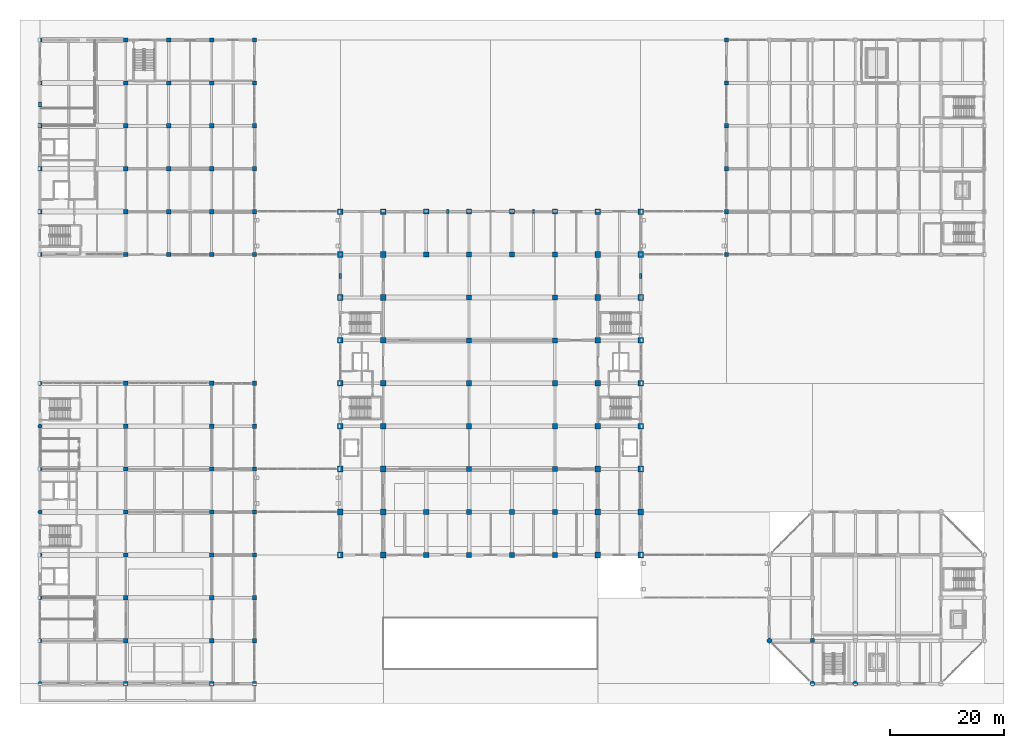
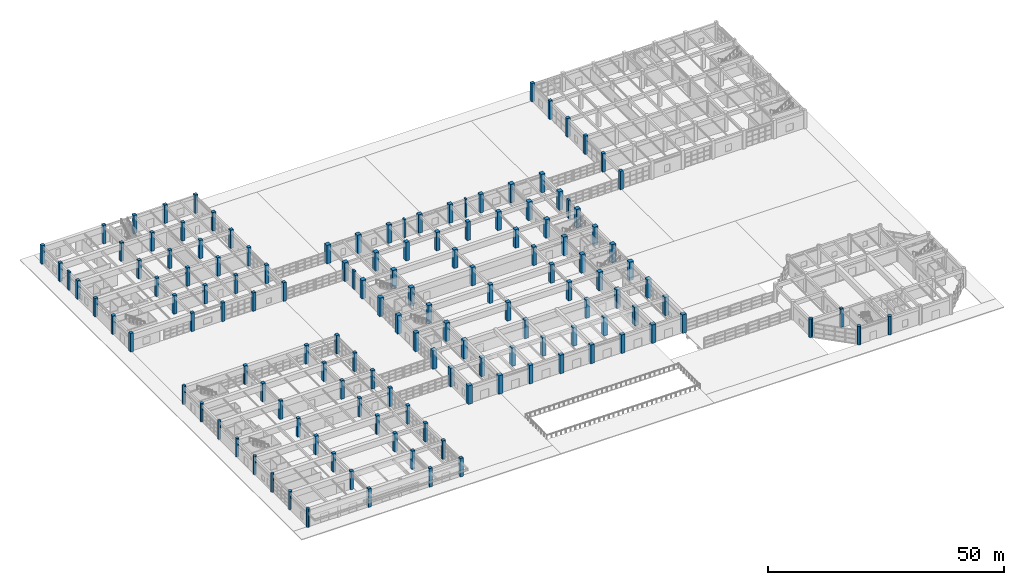
# One storey, part 1 of 122: 139 columns.
"""IFC4 building model written with IfcOpenShell, lengths in metres."""

from ifc_helpers import new_model, si_unit, direction, frame, origin, origin_2d, place, context, subcontext, project, spatial, rectangle, circle, extrude, material, material_profile, profile_set, type_object, element, save


model = new_model("IFC4")

# Units and contexts
model_context = context("Model", 3, precision=1e-05, world=origin(), true_north=direction((0.0, 1.0)))
body_context = subcontext(model_context, "Body", "Model", "MODEL_VIEW")
ifc_project = project(units=[si_unit("LENGTHUNIT", "METRE"), si_unit("AREAUNIT", "SQUARE_METRE"), si_unit("VOLUMEUNIT", "CUBIC_METRE"), si_unit("PLANEANGLEUNIT", "RADIAN"), si_unit("MASSUNIT", "GRAM", prefix="KILO")], contexts=[model_context])

# Site, building, storey
site_placement = place(None, origin())
site = spatial("IfcSite", under=ifc_project, at=site_placement, CompositionType="ELEMENT")
building_placement = place(site_placement, origin())
building = spatial("IfcBuilding", under=site, at=building_placement, Name="Qasida Concert Hall", CompositionType="ELEMENT")
storey_placement = place(building_placement, origin())
storey = spatial("IfcBuildingStorey", under=building, at=storey_placement, Name="L00", CompositionType="ELEMENT", Elevation=0.0)

# Columns
ifc_material = material(Name="Concrete C50/60", Category="concrete")
ifc_material_profile_1 = material_profile(ifc_material, rectangle(XDim=1.0, YDim=1.0, at=origin_2d()), Name="RC 1000x1000")
ifc_profile_set_1 = profile_set([ifc_material_profile_1], Name="Concrete C50/60")
column_type_1 = type_object("IfcColumnType", Name="COL-C-101", PredefinedType="COLUMN", material=ifc_profile_set_1)
for number, where, z_axis, x_axis, name in (
    (1, (52.5, 22.5, 0.0), (0.0, 0.0, 1.0), (1.0, 0.0, 0.0), "L00 column C-101 (V1)"),
    (2, (52.5, 30.0, 0.0), (0.0, 0.0, 1.0), (1.0, 0.0, 0.0), "L00 column C-101 (V1)"),
    (3, (52.5, 37.5, 0.0), (0.0, 0.0, 1.0), (1.0, 0.0, 0.0), "L00 column C-101 (V1)"),
    (4, (52.5, 45.0, 0.0), (0.0, 0.0, 1.0), (1.0, 0.0, 0.0), "L00 column C-101 (V1)"),
    (5, (52.5, 52.5, 0.0), (0.0, 0.0, 1.0), (1.0, 0.0, 0.0), "L00 column C-101 (V1)"),
    (6, (52.5, 60.0, 0.0), (0.0, 0.0, 1.0), (1.0, 0.0, 0.0), "L00 column C-101 (V1)"),
    (7, (52.5, 67.5, 0.0), (0.0, 0.0, 1.0), (1.0, 0.0, 0.0), "L00 column C-101 (V1)"),
    (8, (52.5, 75.0, 0.0), (0.0, 0.0, 1.0), (1.0, 0.0, 0.0), "L00 column C-101 (V1)"),
    (9, (52.5, 82.5, 0.0), (0.0, 0.0, 1.0), (1.0, 0.0, 0.0), "L00 column C-101 (V1)"),
    (10, (60.0, 22.5, 0.0), (0.0, 0.0, 1.0), (1.0, 0.0, 0.0), "L00 column C-101 (V1)"),
    (11, (60.0, 30.0, 0.0), (0.0, 0.0, 1.0), (1.0, 0.0, 0.0), "L00 column C-101 (V1)"),
    (12, (60.0, 37.5, 0.0), (0.0, 0.0, 1.0), (1.0, 0.0, 0.0), "L00 column C-101 (V1)"),
    (13, (60.0, 45.0, 0.0), (0.0, 0.0, 1.0), (1.0, 0.0, 0.0), "L00 column C-101 (V1)"),
    (14, (60.0, 52.5, 0.0), (0.0, 0.0, 1.0), (1.0, 0.0, 0.0), "L00 column C-101 (V1)"),
    (15, (60.0, 60.0, 0.0), (0.0, 0.0, 1.0), (1.0, 0.0, 0.0), "L00 column C-101 (V1)"),
    (16, (60.0, 67.5, 0.0), (0.0, 0.0, 1.0), (1.0, 0.0, 0.0), "L00 column C-101 (V1)"),
    (17, (60.0, 75.0, 0.0), (0.0, 0.0, 1.0), (1.0, 0.0, 0.0), "L00 column C-101 (V1)"),
    (18, (60.0, 82.5, 0.0), (0.0, 0.0, 1.0), (1.0, 0.0, 0.0), "L00 column C-101 (V1)"),
    (19, (97.5, 22.5, 0.0), (0.0, 0.0, 1.0), (1.0, 0.0, 0.0), "L00 column C-101 (V1)"),
    (20, (97.5, 30.0, 0.0), (0.0, 0.0, 1.0), (1.0, 0.0, 0.0), "L00 column C-101 (V1)"),
    (21, (97.5, 37.5, 0.0), (0.0, 0.0, 1.0), (1.0, 0.0, 0.0), "L00 column C-101 (V1)"),
    (22, (97.5, 45.0, 0.0), (0.0, 0.0, 1.0), (1.0, 0.0, 0.0), "L00 column C-101 (V1)"),
    (23, (97.5, 52.5, 0.0), (0.0, 0.0, 1.0), (1.0, 0.0, 0.0), "L00 column C-101 (V1)"),
    (24, (97.5, 60.0, 0.0), (0.0, 0.0, 1.0), (1.0, 0.0, 0.0), "L00 column C-101 (V1)"),
    (25, (97.5, 67.5, 0.0), (0.0, 0.0, 1.0), (1.0, 0.0, 0.0), "L00 column C-101 (V1)"),
    (26, (97.5, 75.0, 0.0), (0.0, 0.0, 1.0), (1.0, 0.0, 0.0), "L00 column C-101 (V1)"),
    (27, (97.5, 82.5, 0.0), (0.0, 0.0, 1.0), (1.0, 0.0, 0.0), "L00 column C-101 (V1)"),
    (28, (105.0, 22.5, 0.0), (0.0, 0.0, 1.0), (1.0, 0.0, 0.0), "L00 column C-101 (V1)"),
    (29, (105.0, 30.0, 0.0), (0.0, 0.0, 1.0), (1.0, 0.0, 0.0), "L00 column C-101 (V1)"),
    (30, (105.0, 37.5, 0.0), (0.0, 0.0, 1.0), (1.0, 0.0, 0.0), "L00 column C-101 (V1)"),
    (31, (105.0, 45.0, 0.0), (0.0, 0.0, 1.0), (1.0, 0.0, 0.0), "L00 column C-101 (V1)"),
    (32, (105.0, 52.5, 0.0), (0.0, 0.0, 1.0), (1.0, 0.0, 0.0), "L00 column C-101 (V1)"),
    (33, (105.0, 60.0, 0.0), (0.0, 0.0, 1.0), (1.0, 0.0, 0.0), "L00 column C-101 (V1)"),
    (34, (105.0, 67.5, 0.0), (0.0, 0.0, 1.0), (1.0, 0.0, 0.0), "L00 column C-101 (V1)"),
    (35, (105.0, 75.0, 0.0), (0.0, 0.0, 1.0), (1.0, 0.0, 0.0), "L00 column C-101 (V1)"),
    (36, (105.0, 82.5, 0.0), (0.0, 0.0, 1.0), (1.0, 0.0, 0.0), "L00 column C-101 (V1)"),
):
    element("IfcColumn", number, at=place(storey_placement, frame(where, z_axis=z_axis, x_axis=x_axis)), inside=storey, type_object=column_type_1, Name=name, PredefinedType="COLUMN", context=body_context, shape_type="SweptSolid", body=[
        extrude(rectangle(XDim=1.0, YDim=1.0, at=origin_2d()), origin(), (0.0, 0.0, 1.0), 4.800048828125),
    ])
ifc_material_profile_2 = material_profile(ifc_material, rectangle(XDim=0.89990234375, YDim=0.89990234375, at=origin_2d()), Name="RC 900x900")
ifc_profile_set_2 = profile_set([ifc_material_profile_2], Name="Concrete C50/60")
column_type_2 = type_object("IfcColumnType", Name="COL-C-102", PredefinedType="COLUMN", material=ifc_profile_set_2)
for number, where, z_axis, x_axis, name in (
    (37, (67.5, 22.5, 0.0), (0.0, 0.0, 1.0), (1.0, 0.0, 0.0), "L00 column C-102 (V1)"),
    (38, (67.5, 30.0, 0.0), (0.0, 0.0, 1.0), (1.0, 0.0, 0.0), "L00 column C-102 (V1)"),
    (39, (67.5, 75.0, 0.0), (0.0, 0.0, 1.0), (1.0, 0.0, 0.0), "L00 column C-102 (V1)"),
    (40, (67.5, 82.5, 0.0), (0.0, 0.0, 1.0), (1.0, 0.0, 0.0), "L00 column C-102 (V1)"),
    (41, (75.0, 22.5, 0.0), (0.0, 0.0, 1.0), (1.0, 0.0, 0.0), "L00 column C-102 (V1)"),
    (42, (75.0, 30.0, 0.0), (0.0, 0.0, 1.0), (1.0, 0.0, 0.0), "L00 column C-102 (V1)"),
    (43, (75.0, 37.5, 0.0), (0.0, 0.0, 1.0), (1.0, 0.0, 0.0), "L00 column C-102 (V1)"),
    (44, (75.0, 45.0, 0.0), (0.0, 0.0, 1.0), (1.0, 0.0, 0.0), "L00 column C-102 (V1)"),
    (45, (75.0, 52.5, 0.0), (0.0, 0.0, 1.0), (1.0, 0.0, 0.0), "L00 column C-102 (V1)"),
    (46, (75.0, 60.0, 0.0), (0.0, 0.0, 1.0), (1.0, 0.0, 0.0), "L00 column C-102 (V1)"),
    (47, (75.0, 67.5, 0.0), (0.0, 0.0, 1.0), (1.0, 0.0, 0.0), "L00 column C-102 (V1)"),
    (48, (75.0, 75.0, 0.0), (0.0, 0.0, 1.0), (1.0, 0.0, 0.0), "L00 column C-102 (V1)"),
    (49, (75.0, 82.5, 0.0), (0.0, 0.0, 1.0), (1.0, 0.0, 0.0), "L00 column C-102 (V1)"),
    (50, (82.5, 22.5, 0.0), (0.0, 0.0, 1.0), (1.0, 0.0, 0.0), "L00 column C-102 (V1)"),
    (51, (82.5, 30.0, 0.0), (0.0, 0.0, 1.0), (1.0, 0.0, 0.0), "L00 column C-102 (V1)"),
    (52, (82.5, 75.0, 0.0), (0.0, 0.0, 1.0), (1.0, 0.0, 0.0), "L00 column C-102 (V1)"),
    (53, (82.5, 82.5, 0.0), (0.0, 0.0, 1.0), (1.0, 0.0, 0.0), "L00 column C-102 (V1)"),
    (54, (90.0, 22.5, 0.0), (0.0, 0.0, 1.0), (1.0, 0.0, 0.0), "L00 column C-102 (V1)"),
    (55, (90.0, 30.0, 0.0), (0.0, 0.0, 1.0), (1.0, 0.0, 0.0), "L00 column C-102 (V1)"),
    (56, (90.0, 37.5, 0.0), (0.0, 0.0, 1.0), (1.0, 0.0, 0.0), "L00 column C-102 (V1)"),
    (57, (90.0, 45.0, 0.0), (0.0, 0.0, 1.0), (1.0, 0.0, 0.0), "L00 column C-102 (V1)"),
    (58, (90.0, 52.5, 0.0), (0.0, 0.0, 1.0), (1.0, 0.0, 0.0), "L00 column C-102 (V1)"),
    (59, (90.0, 60.0, 0.0), (0.0, 0.0, 1.0), (1.0, 0.0, 0.0), "L00 column C-102 (V1)"),
    (60, (90.0, 67.5, 0.0), (0.0, 0.0, 1.0), (1.0, 0.0, 0.0), "L00 column C-102 (V1)"),
    (61, (90.0, 75.0, 0.0), (0.0, 0.0, 1.0), (1.0, 0.0, 0.0), "L00 column C-102 (V1)"),
    (62, (90.0, 82.5, 0.0), (0.0, 0.0, 1.0), (1.0, 0.0, 0.0), "L00 column C-102 (V1)"),
):
    element("IfcColumn", number, at=place(storey_placement, frame(where, z_axis=z_axis, x_axis=x_axis)), inside=storey, type_object=column_type_2, Name=name, PredefinedType="COLUMN", context=body_context, shape_type="SweptSolid", body=[
        extrude(rectangle(XDim=0.89990234375, YDim=0.89990234375, at=origin_2d()), origin(), (0.0, 0.0, 1.0), 4.800048828125),
    ])
ifc_material_profile_3 = material_profile(ifc_material, rectangle(XDim=0.75, YDim=0.75, at=origin_2d()), Name="RC 750x750")
ifc_profile_set_3 = profile_set([ifc_material_profile_3], Name="Concrete C50/60")
column_type_3 = type_object("IfcColumnType", Name="COL-C-104", PredefinedType="COLUMN", material=ifc_profile_set_3)
for number, where, z_axis, x_axis, name in (
    (63, (15.0, 0.0, 0.0), (0.0, 0.0, 1.0), (1.0, 0.0, 0.0), "L00 column C-104 (V3)"),
    (64, (15.0, 7.5, 0.0), (0.0, 0.0, 1.0), (1.0, 0.0, 0.0), "L00 column C-104 (V3)"),
    (65, (15.0, 15.0, 0.0), (0.0, 0.0, 1.0), (1.0, 0.0, 0.0), "L00 column C-104 (V3)"),
    (66, (15.0, 22.5, 0.0), (0.0, 0.0, 1.0), (1.0, 0.0, 0.0), "L00 column C-104 (V3)"),
    (67, (15.0, 30.0, 0.0), (0.0, 0.0, 1.0), (1.0, 0.0, 0.0), "L00 column C-104 (V3)"),
    (68, (15.0, 37.5, 0.0), (0.0, 0.0, 1.0), (1.0, 0.0, 0.0), "L00 column C-104 (V3)"),
    (69, (15.0, 45.0, 0.0), (0.0, 0.0, 1.0), (1.0, 0.0, 0.0), "L00 column C-104 (V3)"),
    (70, (15.0, 52.5, 0.0), (0.0, 0.0, 1.0), (1.0, 0.0, 0.0), "L00 column C-104 (V3)"),
    (71, (30.0, 0.0, 0.0), (0.0, 0.0, 1.0), (1.0, 0.0, 0.0), "L00 column C-104 (V3)"),
    (72, (30.0, 7.5, 0.0), (0.0, 0.0, 1.0), (1.0, 0.0, 0.0), "L00 column C-104 (V3)"),
    (73, (30.0, 15.0, 0.0), (0.0, 0.0, 1.0), (1.0, 0.0, 0.0), "L00 column C-104 (V3)"),
    (74, (30.0, 22.5, 0.0), (0.0, 0.0, 1.0), (1.0, 0.0, 0.0), "L00 column C-104 (V3)"),
    (75, (30.0, 30.0, 0.0), (0.0, 0.0, 1.0), (1.0, 0.0, 0.0), "L00 column C-104 (V3)"),
    (76, (30.0, 37.5, 0.0), (0.0, 0.0, 1.0), (1.0, 0.0, 0.0), "L00 column C-104 (V3)"),
    (77, (30.0, 45.0, 0.0), (0.0, 0.0, 1.0), (1.0, 0.0, 0.0), "L00 column C-104 (V3)"),
    (78, (30.0, 52.5, 0.0), (0.0, 0.0, 1.0), (1.0, 0.0, 0.0), "L00 column C-104 (V3)"),
    (79, (37.5, 0.0, 0.0), (0.0, 0.0, 1.0), (1.0, 0.0, 0.0), "L00 column C-104 (V3)"),
    (80, (37.5, 7.5, 0.0), (0.0, 0.0, 1.0), (1.0, 0.0, 0.0), "L00 column C-104 (V3)"),
    (81, (37.5, 15.0, 0.0), (0.0, 0.0, 1.0), (1.0, 0.0, 0.0), "L00 column C-104 (V3)"),
    (82, (37.5, 22.5, 0.0), (0.0, 0.0, 1.0), (1.0, 0.0, 0.0), "L00 column C-104 (V3)"),
    (83, (37.5, 30.0, 0.0), (0.0, 0.0, 1.0), (1.0, 0.0, 0.0), "L00 column C-104 (V3)"),
    (84, (37.5, 37.5, 0.0), (0.0, 0.0, 1.0), (1.0, 0.0, 0.0), "L00 column C-104 (V3)"),
    (85, (37.5, 45.0, 0.0), (0.0, 0.0, 1.0), (1.0, 0.0, 0.0), "L00 column C-104 (V3)"),
    (86, (37.5, 52.5, 0.0), (0.0, 0.0, 1.0), (1.0, 0.0, 0.0), "L00 column C-104 (V3)"),
    (87, (120.0, 75.0, 0.0), (0.0, 0.0, 1.0), (1.0, 0.0, 0.0), "L00 column C-104 (V4)"),
    (88, (120.0, 82.5, 0.0), (0.0, 0.0, 1.0), (1.0, 0.0, 0.0), "L00 column C-104 (V4)"),
    (89, (120.0, 90.0, 0.0), (0.0, 0.0, 1.0), (1.0, 0.0, 0.0), "L00 column C-104 (V4)"),
    (90, (120.0, 97.5, 0.0), (0.0, 0.0, 1.0), (1.0, 0.0, 0.0), "L00 column C-104 (V4)"),
    (91, (120.0, 105.0, 0.0), (0.0, 0.0, 1.0), (1.0, 0.0, 0.0), "L00 column C-104 (V4)"),
    (92, (120.0, 112.5, 0.0), (0.0, 0.0, 1.0), (1.0, 0.0, 0.0), "L00 column C-104 (V4)"),
    (93, (0.0, 75.0, 0.0), (0.0, 0.0, 1.0), (1.0, 0.0, 0.0), "L00 column C-104 (V5)"),
    (94, (0.0, 82.5, 0.0), (0.0, 0.0, 1.0), (1.0, 0.0, 0.0), "L00 column C-104 (V5)"),
    (95, (0.0, 90.0, 0.0), (0.0, 0.0, 1.0), (1.0, 0.0, 0.0), "L00 column C-104 (V5)"),
    (96, (0.0, 97.5, 0.0), (0.0, 0.0, 1.0), (1.0, 0.0, 0.0), "L00 column C-104 (V5)"),
    (97, (0.0, 105.0, 0.0), (0.0, 0.0, 1.0), (1.0, 0.0, 0.0), "L00 column C-104 (V5)"),
    (98, (0.0, 112.5, 0.0), (0.0, 0.0, 1.0), (1.0, 0.0, 0.0), "L00 column C-104 (V5)"),
    (99, (15.0, 75.0, 0.0), (0.0, 0.0, 1.0), (1.0, 0.0, 0.0), "L00 column C-104 (V5)"),
    (100, (15.0, 82.5, 0.0), (0.0, 0.0, 1.0), (1.0, 0.0, 0.0), "L00 column C-104 (V5)"),
    (101, (15.0, 90.0, 0.0), (0.0, 0.0, 1.0), (1.0, 0.0, 0.0), "L00 column C-104 (V5)"),
    (102, (15.0, 97.5, 0.0), (0.0, 0.0, 1.0), (1.0, 0.0, 0.0), "L00 column C-104 (V5)"),
    (103, (15.0, 105.0, 0.0), (0.0, 0.0, 1.0), (1.0, 0.0, 0.0), "L00 column C-104 (V5)"),
    (104, (15.0, 112.5, 0.0), (0.0, 0.0, 1.0), (1.0, 0.0, 0.0), "L00 column C-104 (V5)"),
    (105, (22.5, 75.0, 0.0), (0.0, 0.0, 1.0), (1.0, 0.0, 0.0), "L00 column C-104 (V5)"),
    (106, (22.5, 82.5, 0.0), (0.0, 0.0, 1.0), (1.0, 0.0, 0.0), "L00 column C-104 (V5)"),
    (107, (22.5, 90.0, 0.0), (0.0, 0.0, 1.0), (1.0, 0.0, 0.0), "L00 column C-104 (V5)"),
    (108, (22.5, 97.5, 0.0), (0.0, 0.0, 1.0), (1.0, 0.0, 0.0), "L00 column C-104 (V5)"),
    (109, (22.5, 105.0, 0.0), (0.0, 0.0, 1.0), (1.0, 0.0, 0.0), "L00 column C-104 (V5)"),
    (110, (22.5, 112.5, 0.0), (0.0, 0.0, 1.0), (1.0, 0.0, 0.0), "L00 column C-104 (V5)"),
    (111, (30.0, 75.0, 0.0), (0.0, 0.0, 1.0), (1.0, 0.0, 0.0), "L00 column C-104 (V5)"),
    (112, (30.0, 82.5, 0.0), (0.0, 0.0, 1.0), (1.0, 0.0, 0.0), "L00 column C-104 (V5)"),
    (113, (30.0, 90.0, 0.0), (0.0, 0.0, 1.0), (1.0, 0.0, 0.0), "L00 column C-104 (V5)"),
    (114, (30.0, 97.5, 0.0), (0.0, 0.0, 1.0), (1.0, 0.0, 0.0), "L00 column C-104 (V5)"),
    (115, (30.0, 105.0, 0.0), (0.0, 0.0, 1.0), (1.0, 0.0, 0.0), "L00 column C-104 (V5)"),
    (116, (30.0, 112.5, 0.0), (0.0, 0.0, 1.0), (1.0, 0.0, 0.0), "L00 column C-104 (V5)"),
    (117, (37.5, 75.0, 0.0), (0.0, 0.0, 1.0), (1.0, 0.0, 0.0), "L00 column C-104 (V5)"),
    (118, (37.5, 82.5, 0.0), (0.0, 0.0, 1.0), (1.0, 0.0, 0.0), "L00 column C-104 (V5)"),
    (119, (37.5, 90.0, 0.0), (0.0, 0.0, 1.0), (1.0, 0.0, 0.0), "L00 column C-104 (V5)"),
    (120, (37.5, 97.5, 0.0), (0.0, 0.0, 1.0), (1.0, 0.0, 0.0), "L00 column C-104 (V5)"),
    (121, (37.5, 105.0, 0.0), (0.0, 0.0, 1.0), (1.0, 0.0, 0.0), "L00 column C-104 (V5)"),
    (122, (37.5, 112.5, 0.0), (0.0, 0.0, 1.0), (1.0, 0.0, 0.0), "L00 column C-104 (V5)"),
):
    element("IfcColumn", number, at=place(storey_placement, frame(where, z_axis=z_axis, x_axis=x_axis)), inside=storey, type_object=column_type_3, Name=name, PredefinedType="COLUMN", context=body_context, shape_type="SweptSolid", body=[
        extrude(rectangle(XDim=0.75, YDim=0.75, at=origin_2d()), origin(), (0.0, 0.0, 1.0), 4.800048828125),
    ])
ifc_material_profile_4 = material_profile(ifc_material, rectangle(XDim=0.699951171875, YDim=0.699951171875, at=origin_2d()), Name="RC 700x700")
ifc_profile_set_4 = profile_set([ifc_material_profile_4], Name="Concrete C50/60")
column_type_4 = type_object("IfcColumnType", Name="COL-C-105", PredefinedType="COLUMN", material=ifc_profile_set_4)
column_placement = place(storey_placement, frame((135.0, 7.5, 0.0), z_axis=(0.0, 0.0, 1.0), x_axis=(1.0, 0.0, 0.0)))
element("IfcColumn", 123, at=column_placement, inside=storey, type_object=column_type_4, Name="L00 column C-105 (V2)", PredefinedType="COLUMN", context=body_context, shape_type="SweptSolid", body=[
    extrude(rectangle(XDim=0.699951171875, YDim=0.699951171875, at=origin_2d()), origin(), (0.0, 0.0, 1.0), 4.800048828125),
])
ifc_material_profile_5 = material_profile(ifc_material, circle(Radius=0.449951171875, at=origin_2d()), Name="RC COL D900")
ifc_profile_set_5 = profile_set([ifc_material_profile_5], Name="Concrete C50/60")
column_type_5 = type_object("IfcColumnType", Name="COL-C-114", PredefinedType="COLUMN", material=ifc_profile_set_5)
for number, where, z_axis, x_axis, name in (
    (124, (127.5, 7.5, 0.0), (0.0, 0.0, 1.0), (1.0, 0.0, 0.0), "L00 column C-114 (V2)"),
    (125, (135.0, 0.0, 0.0), (0.0, 0.0, 1.0), (1.0, 0.0, 0.0), "L00 column C-114 (V2)"),
    (126, (142.5, 0.0, 0.0), (0.0, 0.0, 1.0), (1.0, 0.0, 0.0), "L00 column C-114 (V2)"),
):
    element("IfcColumn", number, at=place(storey_placement, frame(where, z_axis=z_axis, x_axis=x_axis)), inside=storey, type_object=column_type_5, Name=name, PredefinedType="COLUMN", context=body_context, shape_type="SweptSolid", body=[
        extrude(circle(Radius=0.449951171875, at=origin_2d()), origin(), (0.0, 0.0, 1.0), 4.800048828125),
    ])
ifc_material_profile_6 = material_profile(ifc_material, circle(Radius=0.375, at=origin_2d()), Name="RC COL D750")
ifc_profile_set_6 = profile_set([ifc_material_profile_6], Name="Concrete C50/60")
column_type_6 = type_object("IfcColumnType", Name="COL-C-115", PredefinedType="COLUMN", material=ifc_profile_set_6)
for number, where, z_axis, x_axis, name in (
    (127, (0.0, 0.0, 0.0), (0.0, 0.0, 1.0), (1.0, 0.0, 0.0), "L00 column C-115 (V3)"),
    (128, (0.0, 7.5, 0.0), (0.0, 0.0, 1.0), (1.0, 0.0, 0.0), "L00 column C-115 (V3)"),
    (129, (0.0, 15.0, 0.0), (0.0, 0.0, 1.0), (1.0, 0.0, 0.0), "L00 column C-115 (V3)"),
    (130, (0.0, 22.5, 0.0), (0.0, 0.0, 1.0), (1.0, 0.0, 0.0), "L00 column C-115 (V3)"),
    (131, (0.0, 30.0, 0.0), (0.0, 0.0, 1.0), (1.0, 0.0, 0.0), "L00 column C-115 (V3)"),
    (132, (0.0, 37.5, 0.0), (0.0, 0.0, 1.0), (1.0, 0.0, 0.0), "L00 column C-115 (V3)"),
    (133, (0.0, 45.0, 0.0), (0.0, 0.0, 1.0), (1.0, 0.0, 0.0), "L00 column C-115 (V3)"),
    (134, (0.0, 52.5, 0.0), (0.0, 0.0, 1.0), (1.0, 0.0, 0.0), "L00 column C-115 (V3)"),
):
    element("IfcColumn", number, at=place(storey_placement, frame(where, z_axis=z_axis, x_axis=x_axis)), inside=storey, type_object=column_type_6, Name=name, PredefinedType="COLUMN", context=body_context, shape_type="SweptSolid", body=[
        extrude(circle(Radius=0.375, at=origin_2d()), origin(), (0.0, 0.0, 1.0), 4.800048828125),
    ])
ifc_material_profile_7 = material_profile(ifc_material, rectangle(XDim=0.449951171875, YDim=0.85009765625, at=origin_2d()), Name="RC 450x850")
ifc_profile_set_7 = profile_set([ifc_material_profile_7], Name="Concrete C50/60")
column_type_7 = type_object("IfcColumnType", Name="COL-PL-201", PredefinedType="PILASTER", material=ifc_profile_set_7)
for number, where, z_axis, x_axis, name in (
    (135, (0.0, 101.25, 0.0), (0.0, 0.0, 1.0), (1.0, 0.0, 0.0), "L00 Art Deco pilaster PL-201"),
    (136, (52.5, 71.25, 0.0), (0.0, 0.0, 1.0), (1.0, 0.0, 0.0), "L00 Art Deco pilaster PL-201"),
    (137, (105.0, 71.25, 0.0), (0.0, 0.0, 1.0), (1.0, 0.0, 0.0), "L00 Art Deco pilaster PL-201"),
):
    element("IfcColumn", number, at=place(storey_placement, frame(where, z_axis=z_axis, x_axis=x_axis)), inside=storey, type_object=column_type_7, Name=name, PredefinedType="PILASTER", context=body_context, shape_type="SweptSolid", body=[
        extrude(rectangle(XDim=0.449951171875, YDim=0.85009765625, at=origin_2d()), origin(), (0.0, 0.0, 1.0), 4.800048828125),
    ])
ifc_material_profile_8 = material_profile(ifc_material, rectangle(XDim=0.39990234375, YDim=0.699951171875, at=origin_2d()), Name="RC 400x700")
ifc_profile_set_8 = profile_set([ifc_material_profile_8], Name="Concrete C50/60")
column_type_8 = type_object("IfcColumnType", Name="COL-PL-202", PredefinedType="PILASTER", material=ifc_profile_set_8)
for number, where, z_axis, x_axis, name in (
    (138, (71.25, 82.5, 0.0), (0.0, 0.0, 1.0), (1.0, 0.0, 0.0), "L00 Art Deco pilaster PL-202"),
    (139, (86.25, 82.5, 0.0), (0.0, 0.0, 1.0), (1.0, 0.0, 0.0), "L00 Art Deco pilaster PL-202"),
):
    element("IfcColumn", number, at=place(storey_placement, frame(where, z_axis=z_axis, x_axis=x_axis)), inside=storey, type_object=column_type_8, Name=name, PredefinedType="PILASTER", context=body_context, shape_type="SweptSolid", body=[
        extrude(rectangle(XDim=0.39990234375, YDim=0.699951171875, at=origin_2d()), origin(), (0.0, 0.0, 1.0), 4.800048828125),
    ])

save(model, "model.ifc")
